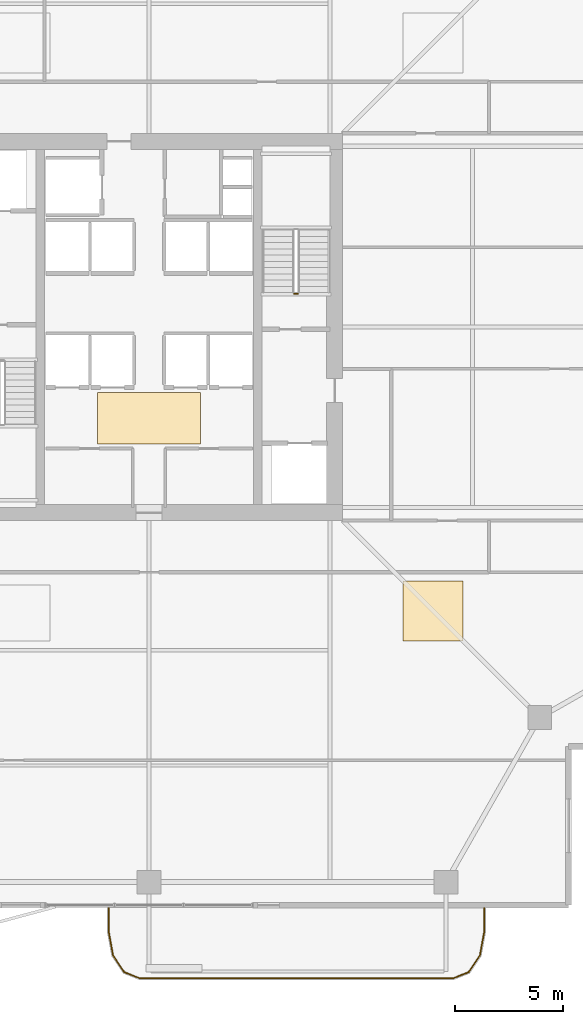
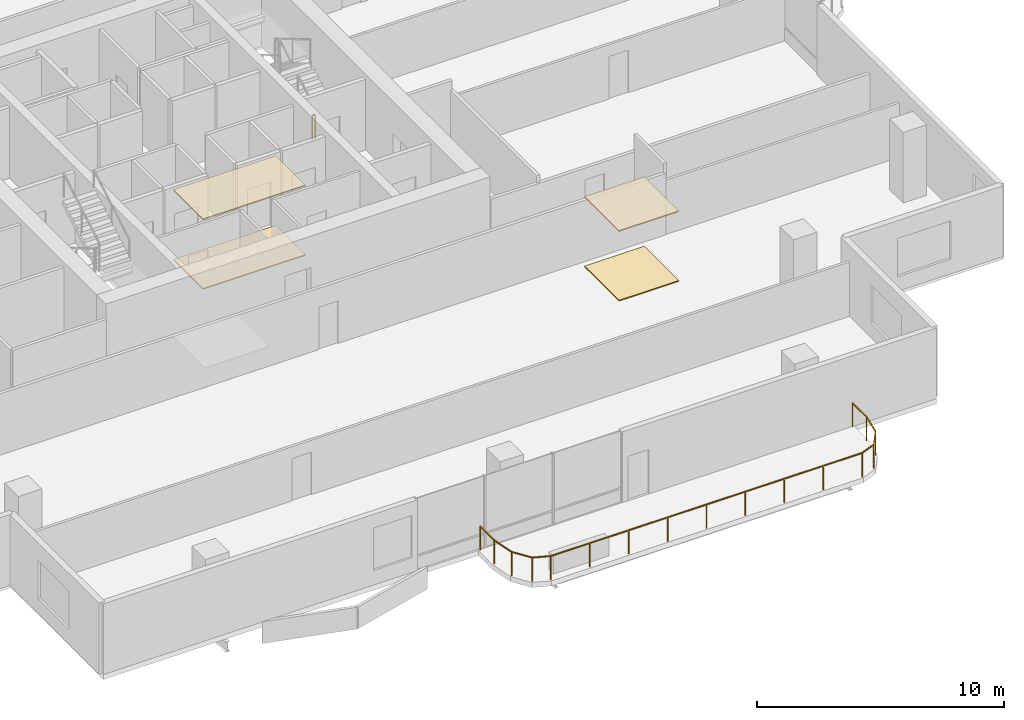
# One storey, part 22 of 24: 4 coverings, 2 railings.
"""IFC4 building model written with IfcOpenShell, lengths in metres."""

from ifc_helpers import new_model, si_unit, direction, frame, origin, origin_2d, place, context, subcontext, project, spatial, polyline, rectangle, outline, extrude, material, layer, layer_set, type_object, element, save


model = new_model("IFC4")

# Units and contexts
model_context = context("Model", 3, precision=1e-05, world=origin(), true_north=direction((0.0, 1.0)))
body_context = subcontext(model_context, "Body", "Model", "MODEL_VIEW")
ifc_project = project(units=[si_unit("LENGTHUNIT", "METRE"), si_unit("AREAUNIT", "SQUARE_METRE"), si_unit("VOLUMEUNIT", "CUBIC_METRE"), si_unit("PLANEANGLEUNIT", "RADIAN"), si_unit("MASSUNIT", "GRAM", prefix="KILO")], contexts=[model_context])

# Site, building, storey
site_placement = place(None, origin())
site = spatial("IfcSite", under=ifc_project, at=site_placement, CompositionType="ELEMENT")
building_placement = place(site_placement, origin())
building = spatial("IfcBuilding", under=site, at=building_placement, Name="Belovzor Exchange Tower", CompositionType="ELEMENT")
storey_placement = place(building_placement, frame((0.0, 0.0, 237.449951171875)))
storey = spatial("IfcBuildingStorey", under=building, at=storey_placement, Name="L59", CompositionType="ELEMENT", Elevation=237.449951171875)

# Railings
ifc_material_1 = material(Name="Stainless Steel and Laminated Safety Glass", Category="steel")
railing_type_1 = type_object("IfcRailingType", Name="Laminated Glass & Stainless Steel Balcony Balustrade 1200", PredefinedType="BALUSTRADE", material=ifc_material_1)
railing_1_placement = place(storey_placement, frame((26.929931640625, 1.7900390625, 0.0)))
element("IfcRailing", 1, at=railing_1_placement, inside=storey, type_object=railing_type_1, Name="GR-1 Balcony Balustrade L59 South", PredefinedType="BALUSTRADE", context=body_context, shape_type="SweptSolid", body=[
    extrude(rectangle(XDim=0.048095703125, YDim=0.048095703125, at=origin_2d()), frame((0.0, 0.0, 1.17578125), z_axis=(0.0, -1.0, 0.0), x_axis=(1.0, 0.0, 0.0)), (0.0, 0.0, 1.0), 1.133056640625),
    extrude(rectangle(XDim=0.048095703125, YDim=0.048095703125, at=origin_2d()), frame((0.0, -1.133056640625, 1.17578125), z_axis=(0.180122719713, -0.983644145941, 0.0), x_axis=(0.983644145941, 0.180122719713, 0.0)), (0.0, 0.0, 1.0), 1.09375),
    extrude(rectangle(XDim=0.048095703125, YDim=0.048095703125, at=origin_2d()), frame((0.197021484375, -2.208984375, 1.17578125), z_axis=(0.56294695933, -0.826493025367, 0.0), x_axis=(0.826493025367, 0.56294695933, 0.0)), (0.0, 0.0, 1.0), 0.932861328125),
    extrude(rectangle(XDim=0.048095703125, YDim=0.048095703125, at=origin_2d()), frame((0.72216796875, -2.97998046875, 1.17578125), z_axis=(0.930766990125, -0.365612923861, 0.0), x_axis=(0.365612923861, 0.930766990125, 0.0)), (0.0, 0.0, 1.0), 0.765869140625),
    extrude(rectangle(XDim=0.048095703125, YDim=0.048095703125, at=origin_2d()), frame((1.43505859375, -3.260009765625, 1.17578125), z_axis=(1.0, 0.0, 0.0), x_axis=(0.0, 1.0, 0.0)), (0.0, 0.0, 1.0), 14.570068359375),
    extrude(rectangle(XDim=0.048095703125, YDim=0.048095703125, at=origin_2d()), frame((16.005126953125, -3.260009765625, 1.17578125), z_axis=(0.930766990125, 0.365612923861, 0.0), x_axis=(-0.365612923861, 0.930766990125, 0.0)), (0.0, 0.0, 1.0), 0.765869140625),
    extrude(rectangle(XDim=0.048095703125, YDim=0.048095703125, at=origin_2d()), frame((16.718017578125, -2.97998046875, 1.17578125), z_axis=(0.56294695933, 0.826493025367, 0.0), x_axis=(-0.826493025367, 0.56294695933, 0.0)), (0.0, 0.0, 1.0), 0.932861328125),
    extrude(rectangle(XDim=0.048095703125, YDim=0.048095703125, at=origin_2d()), frame((17.2431640625, -2.208984375, 1.17578125), z_axis=(0.180122719713, 0.983644145941, 0.0), x_axis=(-0.983644145941, 0.180122719713, 0.0)), (0.0, 0.0, 1.0), 1.09375),
    extrude(rectangle(XDim=0.048095703125, YDim=0.048095703125, at=origin_2d()), frame((17.440185546875, -1.133056640625, 1.17578125), z_axis=(0.0, 1.0, 0.0), x_axis=(-1.0, 0.0, 0.0)), (0.0, 0.0, 1.0), 1.133056640625),
    extrude(rectangle(XDim=0.0419921875, YDim=0.0419921875, at=origin_2d()), origin(), (0.0, 0.0, 1.0), 1.15185546875),
    extrude(rectangle(XDim=0.0419921875, YDim=0.0419921875, at=origin_2d()), frame((0.0, -1.133056640625, 0.0)), (0.0, 0.0, 1.0), 1.15185546875),
    extrude(rectangle(XDim=0.0419921875, YDim=0.0419921875, at=origin_2d()), frame((0.197021484375, -2.208984375, 0.0)), (0.0, 0.0, 1.0), 1.15185546875),
    extrude(rectangle(XDim=0.0419921875, YDim=0.0419921875, at=origin_2d()), frame((0.72216796875, -2.97998046875, 0.0)), (0.0, 0.0, 1.0), 1.15185546875),
    extrude(rectangle(XDim=0.0419921875, YDim=0.0419921875, at=origin_2d()), frame((1.43505859375, -3.260009765625, 0.0)), (0.0, 0.0, 1.0), 1.15185546875),
    extrude(rectangle(XDim=0.0419921875, YDim=0.0419921875, at=origin_2d()), frame((3.25634765625, -3.260009765625, 0.0)), (0.0, 0.0, 1.0), 1.15185546875),
    extrude(rectangle(XDim=0.0419921875, YDim=0.0419921875, at=origin_2d()), frame((5.07763671875, -3.260009765625, 0.0)), (0.0, 0.0, 1.0), 1.15185546875),
    extrude(rectangle(XDim=0.0419921875, YDim=0.0419921875, at=origin_2d()), frame((6.89892578125, -3.260009765625, 0.0)), (0.0, 0.0, 1.0), 1.15185546875),
    extrude(rectangle(XDim=0.0419921875, YDim=0.0419921875, at=origin_2d()), frame((8.72021484375, -3.260009765625, 0.0)), (0.0, 0.0, 1.0), 1.15185546875),
    extrude(rectangle(XDim=0.0419921875, YDim=0.0419921875, at=origin_2d()), frame((10.541259765625, -3.260009765625, 0.0)), (0.0, 0.0, 1.0), 1.15185546875),
    extrude(rectangle(XDim=0.0419921875, YDim=0.0419921875, at=origin_2d()), frame((12.362548828125, -3.260009765625, 0.0)), (0.0, 0.0, 1.0), 1.15185546875),
    extrude(rectangle(XDim=0.0419921875, YDim=0.0419921875, at=origin_2d()), frame((14.183837890625, -3.260009765625, 0.0)), (0.0, 0.0, 1.0), 1.15185546875),
    extrude(rectangle(XDim=0.0419921875, YDim=0.0419921875, at=origin_2d()), frame((16.005126953125, -3.260009765625, 0.0)), (0.0, 0.0, 1.0), 1.15185546875),
    extrude(rectangle(XDim=0.0419921875, YDim=0.0419921875, at=origin_2d()), frame((16.718017578125, -2.97998046875, 0.0)), (0.0, 0.0, 1.0), 1.15185546875),
    extrude(rectangle(XDim=0.0419921875, YDim=0.0419921875, at=origin_2d()), frame((17.2431640625, -2.208984375, 0.0)), (0.0, 0.0, 1.0), 1.15185546875),
    extrude(rectangle(XDim=0.0419921875, YDim=0.0419921875, at=origin_2d()), frame((17.440185546875, -1.133056640625, 0.0)), (0.0, 0.0, 1.0), 1.15185546875),
    extrude(rectangle(XDim=0.0419921875, YDim=0.0419921875, at=origin_2d()), frame((17.440185546875, 0.0, 0.0)), (0.0, 0.0, 1.0), 1.15185546875),
])
ifc_material_2 = material(Name="Steel S355", Category="steel")
railing_type_2 = type_object("IfcRailingType", Name="Painted Steel Stairwell Guardrail 1200", PredefinedType="GUARDRAIL", material=ifc_material_2)
railing_2_placement = place(storey_placement, frame((35.699951171875, 30.35009765625, 0.0)))
element("IfcRailing", 2, at=railing_2_placement, inside=storey, type_object=railing_type_2, Name="L59 ST-2 stair guard 4", PredefinedType="GUARDRAIL", context=body_context, shape_type="SweptSolid", body=[
    extrude(rectangle(XDim=0.048095703125, YDim=0.048095703125, at=origin_2d()), frame((0.0, 0.0, 1.17578125), z_axis=(-1.0, 0.0, 0.0), x_axis=(0.0, -1.0, 0.0)), (0.0, 0.0, 1.0), 0.14990234375),
    extrude(rectangle(XDim=0.0419921875, YDim=0.0419921875, at=origin_2d()), origin(), (0.0, 0.0, 1.0), 1.15185546875),
    extrude(rectangle(XDim=0.0419921875, YDim=0.0419921875, at=origin_2d()), frame((-0.14990234375, 0.0, 0.0)), (0.0, 0.0, 1.0), 1.15185546875),
])

# Coverings
ifc_material_3 = material(Name="Perforated Powder-Coated Aluminium", Category="aluminium")
ifc_layer_1 = layer(ifc_material_3, 0.06005859375)
ifc_layer_set_1 = layer_set([ifc_layer_1], Name="Perforated Powder-Coated Aluminium")
covering_type_1 = type_object("IfcCoveringType", Name="Perforated Acoustic Metal Tile Suspended Ceiling 60", PredefinedType="CEILING", material=ifc_layer_set_1)
covering_1_placement = place(storey_placement, frame((0.0, 0.0, 3.43994140625)))
element("IfcCovering", 3, at=covering_1_placement, inside=storey, type_object=covering_type_1, Name="CLG-AC60 Suspended Ceiling CLG-L59-LOB", PredefinedType="CEILING", context=body_context, shape_type="SweptSolid", body=[
    extrude(outline(polyline([(26.39990234375, 23.35009765625), (31.199951171875, 23.35009765625), (31.199951171875, 25.75), (26.39990234375, 25.75), (26.39990234375, 23.35009765625)])), origin(), (0.0, 0.0, 1.0), 0.06005859375),
])
covering_2_placement = place(storey_placement, frame((0.0, 0.0, 3.43994140625)))
element("IfcCovering", 4, at=covering_2_placement, inside=storey, type_object=covering_type_1, Name="CLG-AC60 Suspended Ceiling CLG-L59-Z1", PredefinedType="CEILING", context=body_context, shape_type="SweptSolid", body=[
    extrude(outline(polyline([(40.60009765625, 14.199951171875), (43.39990234375, 14.199951171875), (43.39990234375, 17.0), (40.60009765625, 17.0), (40.60009765625, 14.199951171875)])), origin(), (0.0, 0.0, 1.0), 0.06005859375),
])
ifc_material_4 = material(Name="Polished Natural Granite Tile", Category="masonry")
ifc_layer_2 = layer(ifc_material_4, 0.050048828125)
ifc_layer_set_2 = layer_set([ifc_layer_2], Name="Polished Natural Granite Tile")
covering_type_2 = type_object("IfcCoveringType", Name="Polished Karelian Granite & Raised Access Floor Finish 50", PredefinedType="FLOORING", material=ifc_layer_set_2)
covering_3_placement = place(storey_placement, origin())
element("IfcCovering", 5, at=covering_3_placement, inside=storey, type_object=covering_type_2, Name="FLR-GR50 Floor Finish FLR-L59-LOB", PredefinedType="FLOORING", context=body_context, shape_type="SweptSolid", body=[
    extrude(outline(polyline([(26.39990234375, 23.35009765625), (31.199951171875, 23.35009765625), (31.199951171875, 25.75), (26.39990234375, 25.75), (26.39990234375, 23.35009765625)])), origin(), (0.0, 0.0, 1.0), 0.050048828125),
])
covering_4_placement = place(storey_placement, origin())
element("IfcCovering", 6, at=covering_4_placement, inside=storey, type_object=covering_type_2, Name="FLR-GR50 Floor Finish FLR-L59-Z1", PredefinedType="FLOORING", context=body_context, shape_type="SweptSolid", body=[
    extrude(outline(polyline([(40.60009765625, 14.199951171875), (43.39990234375, 14.199951171875), (43.39990234375, 17.0), (40.60009765625, 17.0), (40.60009765625, 14.199951171875)])), origin(), (0.0, 0.0, 1.0), 0.050048828125),
])

save(model, "model.ifc")
